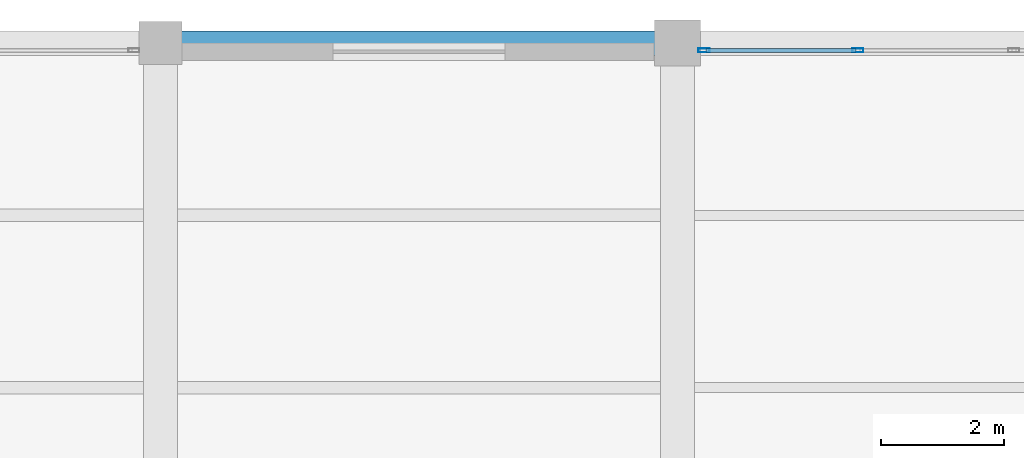
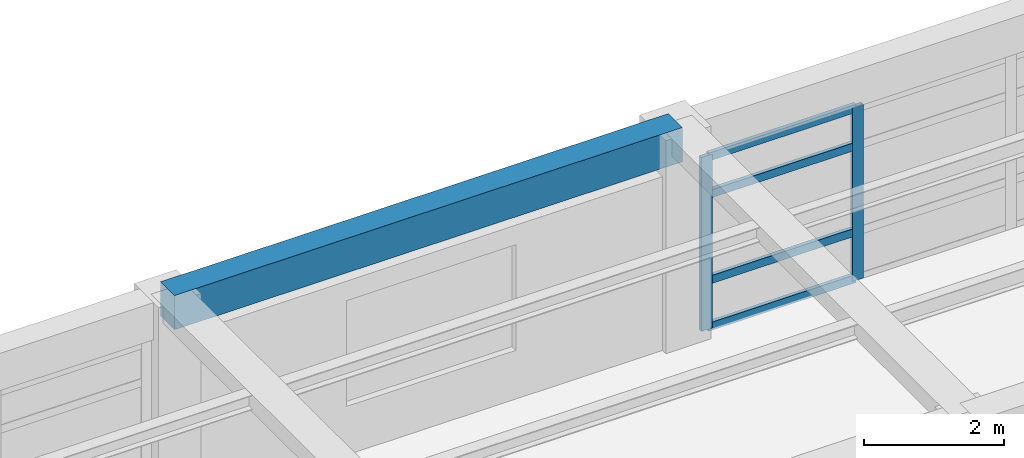
# One storey, part 18 of 26: 6 members, 1 beam, 1 element without a shape of its own.
"""IFC4 building model written with IfcOpenShell, lengths in metres."""

import ifcopenshell
import ifcopenshell.guid

model = None  # the IFC model being written
_history = None  # IfcOwnerHistory: only IFC2X3 demands one
_inside = {}  # id of a spatial element -> (the spatial element, [elements in it])
_under = {}  # id of a project, library or spatial element -> (it, [spatial elements below it])
_declared = {}  # id of a project -> (the project, [libraries it declares])
_typed = {}  # id of a type object -> (the type object, [elements of that type])
_made_of = {}  # id of a material, layer set ... -> (it, [elements and type objects made of it])


def new_model(schema):
    """Start an empty IFC model of exactly this schema.

    Asked for "IFC4X3", IfcOpenShell would pick the latest addendum, in which some entities
    have other attributes; the version numbers below select the first issue.
    IFC2X3 requires an IfcOwnerHistory on every rooted entity: one is made here for all.
    """
    global model, _history
    if schema == "IFC4X3":
        model = ifcopenshell.file(schema_version=(4, 3, 0, 0))
    else:
        model = ifcopenshell.file(schema=schema)
    _inside.clear()
    _under.clear()
    _declared.clear()
    _typed.clear()
    _made_of.clear()
    _history = None
    if model.schema == "IFC2X3":
        org = make("IfcOrganization", Name="unknown")
        user = make(
            "IfcPersonAndOrganization",
            ThePerson=make("IfcPerson", FamilyName="unknown"),
            TheOrganization=org,
        )
        app = make(
            "IfcApplication",
            ApplicationDeveloper=org,
            Version="unknown",
            ApplicationFullName="unknown",
            ApplicationIdentifier="unknown",
        )
        _history = make(
            "IfcOwnerHistory",
            OwningUser=user,
            OwningApplication=app,
            ChangeAction="ADDED",
            CreationDate=0,
        )
    return model


def make(cls, **values):
    """One entity of the class cls with the attributes given. An attribute that is None is left unset."""
    return model.create_entity(
        cls, **{name: value for name, value in values.items() if value is not None}
    )


def rooted(cls, **values):
    """An entity with a GlobalId (a new one), such as an element, a storey or a relation."""
    return make(cls, GlobalId=ifcopenshell.guid.new(), OwnerHistory=_history, **values)


def si_unit(unit_type, name, prefix=None):
    """IfcSIUnit, for example si_unit("LENGTHUNIT", "METRE", prefix="MILLI")."""
    return make("IfcSIUnit", UnitType=unit_type, Prefix=prefix, Name=name)


def assignment(units):
    """IfcUnitAssignment: the units of a project."""
    return None if units is None else make("IfcUnitAssignment", Units=units)


def point(xyz):
    """IfcCartesianPoint."""
    return None if xyz is None else make("IfcCartesianPoint", Coordinates=xyz)


def direction(xyz):
    """IfcDirection."""
    return None if xyz is None else make("IfcDirection", DirectionRatios=xyz)


def frame(location, z_axis=None, x_axis=None):
    """IfcAxis2Placement3D, a coordinate frame: its origin and axes. An axis left out is left unset."""
    return make(
        "IfcAxis2Placement3D",
        Location=point(location),
        Axis=direction(z_axis),
        RefDirection=direction(x_axis),
    )


def frame_2d(location, x_axis=None):
    """IfcAxis2Placement2D, a coordinate frame in the plane: its origin and x axis."""
    return make(
        "IfcAxis2Placement2D", Location=point(location), RefDirection=direction(x_axis)
    )


def origin():
    """The frame at (0, 0, 0) with its axes left unset."""
    return frame((0.0, 0.0, 0.0))


def origin_2d():
    """The frame at (0, 0) in the plane with its x axis left unset."""
    return frame_2d((0.0, 0.0))


def place(relative_to, where):
    """IfcLocalPlacement: puts the frame where relative to a parent placement (None: the world)."""
    return make(
        "IfcLocalPlacement", PlacementRelTo=relative_to, RelativePlacement=where
    )


def context(
    kind, dimensions, precision=None, world=None, true_north=None, identifier=None
):
    """IfcGeometricRepresentationContext, for example the 3D "Model" context."""
    return make(
        "IfcGeometricRepresentationContext",
        ContextIdentifier=identifier,
        ContextType=kind,
        CoordinateSpaceDimension=dimensions,
        Precision=precision,
        WorldCoordinateSystem=world,
        TrueNorth=true_north,
    )


def subcontext(parent, identifier, kind, view, scale=None):
    """IfcGeometricRepresentationSubContext, for example "Body" below "Model"."""
    return make(
        "IfcGeometricRepresentationSubContext",
        ContextIdentifier=identifier,
        ContextType=kind,
        ParentContext=parent,
        TargetScale=scale,
        TargetView=view,
    )


def project(units=None, contexts=None):
    """IfcProject with its units and contexts."""
    return rooted(
        "IfcProject",
        Name="project",
        RepresentationContexts=contexts,
        UnitsInContext=assignment(units),
    )


def spatial(cls, under=None, at=None, **own):
    """A site, building, storey or space (cls), placed at a placement, below another one or the project."""
    s = rooted(cls, ObjectPlacement=at, **own)
    if under is not None:
        _under.setdefault(under.id(), (under, []))[1].append(s)
    return s


def profile(cls, at=None, kind="AREA", **sizes):
    """A parametric profile (cls). Its sizes go by their IFC names, for example OverallWidth=200.0."""
    return make(cls, ProfileType=kind, Position=at, **sizes)


def rectangle(**sizes):
    """IfcRectangleProfileDef."""
    return profile("IfcRectangleProfileDef", **sizes)


def hollow_rectangle(**sizes):
    """IfcRectangleHollowProfileDef."""
    return profile("IfcRectangleHollowProfileDef", **sizes)


def extrude(swept, where, along, depth):
    """IfcExtrudedAreaSolid: the profile swept, set in the frame where, extruded along a direction by depth."""
    return make(
        "IfcExtrudedAreaSolid",
        SweptArea=swept,
        Position=where,
        ExtrudedDirection=direction(along),
        Depth=depth,
    )


def shape(context_of_items, identifier, shape_type, items):
    """IfcShapeRepresentation: the items that make up one representation, for example the "Body"."""
    return make(
        "IfcShapeRepresentation",
        ContextOfItems=context_of_items,
        RepresentationIdentifier=identifier,
        RepresentationType=shape_type,
        Items=items,
    )


def material(Name=None, Category=None):
    """IfcMaterial."""
    return make("IfcMaterial", Name=Name, Category=Category)


def material_profile(
    of_material, cross_section, Name=None, Category=None, Priority=None
):
    """IfcMaterialProfile: a cross section and its material."""
    return make(
        "IfcMaterialProfile",
        Name=Name,
        Material=of_material,
        Profile=cross_section,
        Priority=Priority,
        Category=Category,
    )


def profile_set(profiles, Name=None, composite=None):
    """IfcMaterialProfileSet."""
    return make(
        "IfcMaterialProfileSet",
        Name=Name,
        MaterialProfiles=profiles,
        CompositeProfile=composite,
    )


def made_of(thing, what):
    """Note that an element or type object is made of a material, layer set ...; save() writes the relation."""
    if what is not None:
        _made_of.setdefault(what.id(), (what, []))[1].append(thing)
    return thing


def type_object(cls, material=None, **own):
    """A type object (cls), such as IfcWallType, which elements share."""
    return made_of(rooted(cls, **own), material)


def element(
    cls,
    number,
    at=None,
    inside=None,
    cuts=None,
    type_object=None,
    material=None,
    context=None,
    identifier="Body",
    shape_type=None,
    held_by="IfcProductDefinitionShape",
    body=None,
    shapes=None,
    **own,
):
    """One element of the class cls, such as IfcWall. Its Tag is "e" and its number.

    at: its placement. inside: the storey or other place that contains it. cuts: it is an
    opening in that element (IfcRelVoidsElement). A single representation is given by context,
    identifier, shape_type and body (its items); several are given by shapes. held_by: the class
    of the entity that holds the representations. save() writes the other relations.
    """
    e = rooted(cls, Tag="e%d" % number, ObjectPlacement=at, **own)
    if body is not None:
        shapes = [shape(context, identifier, shape_type, body)]
    if shapes is not None:
        e.Representation = make(held_by, Representations=shapes)
    if inside is not None:
        _inside.setdefault(inside.id(), (inside, []))[1].append(e)
    if cuts is not None:
        rooted(
            "IfcRelVoidsElement", RelatingBuildingElement=cuts, RelatedOpeningElement=e
        )
    if type_object is not None:
        _typed.setdefault(type_object.id(), (type_object, []))[1].append(e)
    return made_of(e, material)


def aggregate(whole, parts):
    """IfcRelAggregates: a whole, such as a stair, and the parts it consists of."""
    return rooted("IfcRelAggregates", RelatingObject=whole, RelatedObjects=parts)


def save(model, path):
    """Write the relations noted so far, then the file.

    IfcRelAggregates (storeys below a building ...), IfcRelContainedInSpatialStructure (elements
    in a storey), IfcRelDefinesByType, IfcRelAssociatesMaterial and IfcRelDeclares: one each for
    every whole, place, type object, material and project.
    """
    for whole, parts in _under.values():
        aggregate(whole, parts)
    for where, things in _inside.values():
        rooted(
            "IfcRelContainedInSpatialStructure",
            RelatedElements=things,
            RelatingStructure=where,
        )
    for kind, things in _typed.values():
        rooted("IfcRelDefinesByType", RelatedObjects=things, RelatingType=kind)
    for what, things in _made_of.values():
        rooted("IfcRelAssociatesMaterial", RelatedObjects=things, RelatingMaterial=what)
    for by, libraries in _declared.values():
        rooted("IfcRelDeclares", RelatingContext=by, RelatedDefinitions=libraries)
    model.write(path)


model = new_model("IFC4")

# Units and contexts
model_context = context("Model", 3, precision=1e-05, world=origin(), true_north=direction((0.0, 1.0)))
body_context = subcontext(model_context, "Body", "Model", "MODEL_VIEW")
ifc_project = project(units=[si_unit("LENGTHUNIT", "METRE"), si_unit("AREAUNIT", "SQUARE_METRE"), si_unit("VOLUMEUNIT", "CUBIC_METRE"), si_unit("PLANEANGLEUNIT", "RADIAN"), si_unit("MASSUNIT", "GRAM", prefix="KILO")], contexts=[model_context])

# Site, building, storey
site_placement = place(None, origin())
site = spatial("IfcSite", under=ifc_project, at=site_placement, CompositionType="ELEMENT")
building_placement = place(site_placement, origin())
building = spatial("IfcBuilding", under=site, at=building_placement, Name="Almacenes y Pasaje Nevantli", CompositionType="ELEMENT")
storey_placement = place(building_placement, frame((0.0, 0.0, 30.699951171875)))
storey = spatial("IfcBuildingStorey", under=building, at=storey_placement, Name="L07", CompositionType="ELEMENT", Elevation=30.699951171875)

# Beam
ifc_material_1 = material(Name="Concrete C35/45", Category="concrete")
ifc_material_profile_1 = material_profile(ifc_material_1, rectangle(XDim=0.39990234375, YDim=0.60009765625, at=origin_2d()), Name="RC-BM-400x600")
ifc_profile_set_1 = profile_set([ifc_material_profile_1], Name="Concrete C35/45")
beam_type = type_object("IfcBeamType", Name="BM-RC-400x600", PredefinedType="SPANDREL", material=ifc_profile_set_1)
beam_placement = place(storey_placement, frame((126.0, 100.800048828125, 3.420166015625), z_axis=(1.0, 0.0, 0.0), x_axis=(0.0, 1.0, 0.0)))
element("IfcBeam", 1, at=beam_placement, inside=storey, type_object=beam_type, Name="L07 East-West Reinforced Concrete Beam #3655", PredefinedType="SPANDREL", context=body_context, shape_type="SweptSolid", body=[
    extrude(rectangle(XDim=0.39990234375, YDim=0.60009765625, at=origin_2d()), origin(), (0.0, 0.0, 1.0), 8.39990234375),
])

# Curtain wall, members
ifc_material_2 = material(Name="Thermally Broken Aluminium and Low-E Glass", Category="aluminium")
curtain_wall_type = type_object("IfcCurtainWallType", Name="CW-UNIT-TOWER", PredefinedType="USERDEFINED", material=ifc_material_2)
curtain_wall_placement = place(storey_placement, origin())
curtain_wall = element("IfcCurtainWall", 2, at=curtain_wall_placement, inside=storey, type_object=curtain_wall_type, Name="L07 Tower North Boulevard Unitized Curtain Wall Bay 17", ObjectType="UNITIZED CURTAIN WALL", PredefinedType="USERDEFINED")
ifc_material_3 = material(Name="Thermally Broken Anodized Aluminium", Category="aluminium")
ifc_material_profile_2 = material_profile(ifc_material_3, hollow_rectangle(XDim=0.06494140625, YDim=0.179931640625, WallThickness=0.00390625, at=origin_2d()), Name="ALU-MUL-65x180")
ifc_profile_set_2 = profile_set([ifc_material_profile_2], Name="Thermally Broken Anodized Aluminium")
member_type_1 = type_object("IfcMemberType", Name="CW-MUL-200", PredefinedType="MULLION", material=ifc_profile_set_2)
member_1_placement = place(storey_placement, frame((134.83251953125, 100.679931640625, 0.0), z_axis=(0.0, 0.0, 1.0), x_axis=(0.0, 1.0, 0.0)))
member_1 = element("IfcMember", 3, at=member_1_placement, type_object=member_type_1, Name="CW-L07-114 mullion 1", PredefinedType="MULLION", context=body_context, shape_type="SweptSolid", body=[
    extrude(hollow_rectangle(XDim=0.06494140625, YDim=0.179931640625, WallThickness=0.00390625, at=origin_2d()), origin(), (0.0, 0.0, 1.0), 3.0400390625),
])
member_2_placement = place(storey_placement, frame((137.333251953125, 100.679931640625, 0.0), z_axis=(0.0, 0.0, 1.0), x_axis=(0.0, 1.0, 0.0)))
member_2 = element("IfcMember", 4, at=member_2_placement, type_object=member_type_1, Name="CW-L07-114 mullion 2", PredefinedType="MULLION", context=body_context, shape_type="SweptSolid", body=[
    extrude(hollow_rectangle(XDim=0.06494140625, YDim=0.179931640625, WallThickness=0.00390625, at=origin_2d()), origin(), (0.0, 0.0, 1.0), 3.0400390625),
])
ifc_material_4 = material(Name="Thermally Broken Anodized Aluminium", Category="aluminium")
ifc_material_profile_3 = material_profile(ifc_material_4, hollow_rectangle(XDim=0.06494140625, YDim=0.139892578125, WallThickness=0.00390625, at=origin_2d()), Name="ALU-TRN-65x140")
ifc_profile_set_3 = profile_set([ifc_material_profile_3], Name="Thermally Broken Anodized Aluminium")
member_type_2 = type_object("IfcMemberType", Name="CW-TRN-150", PredefinedType="USERDEFINED", material=ifc_profile_set_3)
member_3_placement = place(storey_placement, frame((134.864990234375, 100.679931640625, 0.032470703125), z_axis=(1.0, 0.0, 0.0), x_axis=(0.0, 1.0, 0.0)))
member_3 = element("IfcMember", 5, at=member_3_placement, type_object=member_type_2, Name="CW-L07-114 transom 1.1", ObjectType="TRANSOM", PredefinedType="USERDEFINED", context=body_context, shape_type="SweptSolid", body=[
    extrude(hollow_rectangle(XDim=0.06494140625, YDim=0.139892578125, WallThickness=0.00390625, at=origin_2d()), origin(), (0.0, 0.0, 1.0), 2.435791015625),
])
member_4_placement = place(storey_placement, frame((134.864990234375, 100.679931640625, 0.85009765625), z_axis=(1.0, 0.0, 0.0), x_axis=(0.0, 1.0, 0.0)))
member_4 = element("IfcMember", 6, at=member_4_placement, type_object=member_type_2, Name="CW-L07-114 transom 1.2", ObjectType="TRANSOM", PredefinedType="USERDEFINED", context=body_context, shape_type="SweptSolid", body=[
    extrude(hollow_rectangle(XDim=0.06494140625, YDim=0.139892578125, WallThickness=0.00390625, at=origin_2d()), origin(), (0.0, 0.0, 1.0), 2.435791015625),
])
member_5_placement = place(storey_placement, frame((134.864990234375, 100.679931640625, 2.35009765625), z_axis=(1.0, 0.0, 0.0), x_axis=(0.0, 1.0, 0.0)))
member_5 = element("IfcMember", 7, at=member_5_placement, type_object=member_type_2, Name="CW-L07-114 transom 1.3", ObjectType="TRANSOM", PredefinedType="USERDEFINED", context=body_context, shape_type="SweptSolid", body=[
    extrude(hollow_rectangle(XDim=0.06494140625, YDim=0.139892578125, WallThickness=0.00390625, at=origin_2d()), origin(), (0.0, 0.0, 1.0), 2.435791015625),
])
member_6_placement = place(storey_placement, frame((134.864990234375, 100.679931640625, 3.007568359375), z_axis=(1.0, 0.0, 0.0), x_axis=(0.0, 1.0, 0.0)))
member_6 = element("IfcMember", 8, at=member_6_placement, type_object=member_type_2, Name="CW-L07-114 transom 1.4", ObjectType="TRANSOM", PredefinedType="USERDEFINED", context=body_context, shape_type="SweptSolid", body=[
    extrude(hollow_rectangle(XDim=0.06494140625, YDim=0.139892578125, WallThickness=0.00390625, at=origin_2d()), origin(), (0.0, 0.0, 1.0), 2.435791015625),
])
aggregate(curtain_wall, [member_1, member_2, member_3, member_4, member_5, member_6])

save(model, "model.ifc")
